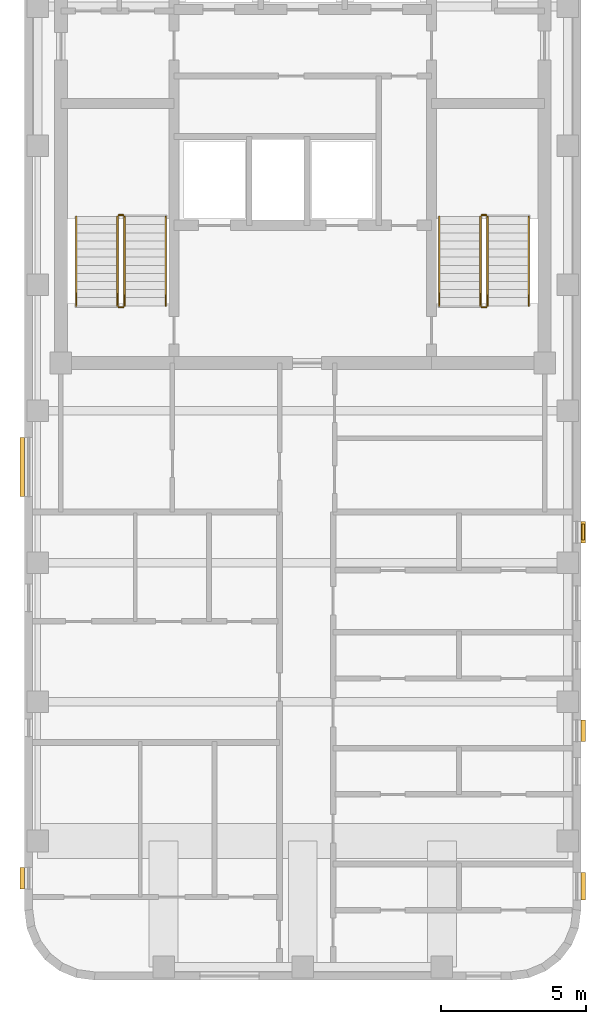
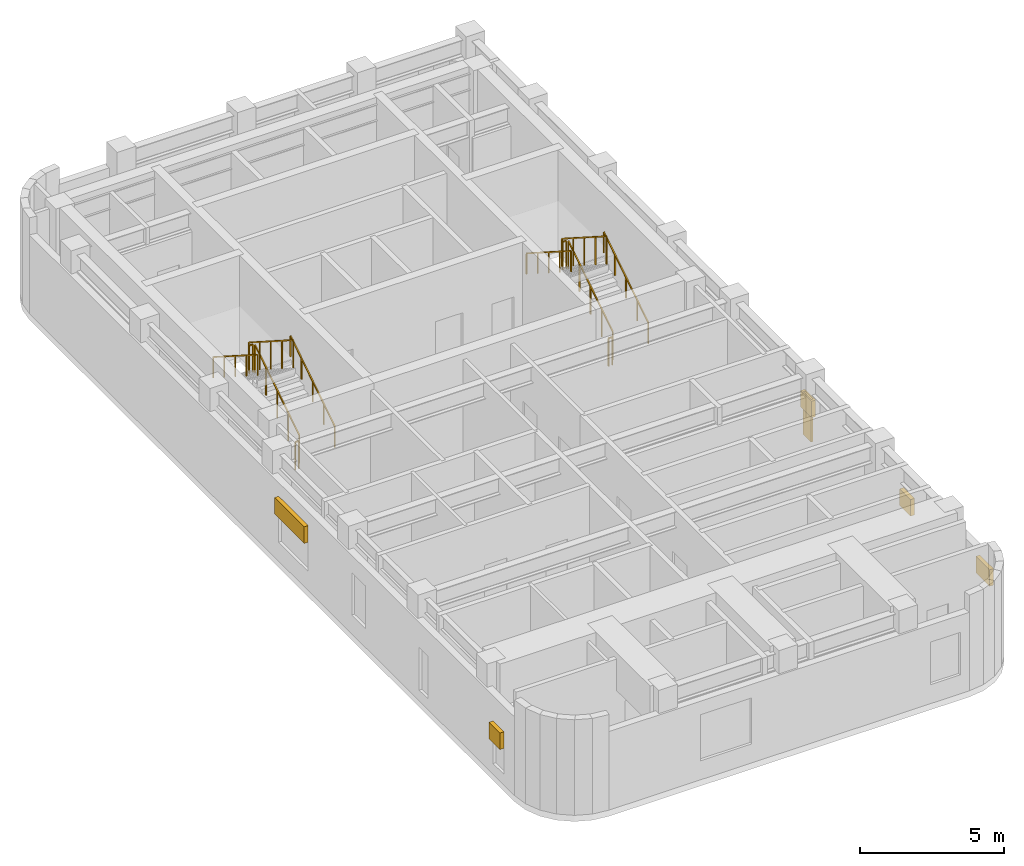
# One storey, part 6 of 6: 12 railings, 6 shading devices.
"""IFC4 building model written with IfcOpenShell, lengths in metres."""

from ifc_helpers import new_model, si_unit, direction, frame, origin, origin_2d, place, context, subcontext, project, spatial, rectangle, extrude, material, type_object, element, save


model = new_model("IFC4")

# Units and contexts
model_context = context("Model", 3, precision=1e-05, world=origin(), true_north=direction((0.0, 1.0)))
body_context = subcontext(model_context, "Body", "Model", "MODEL_VIEW")
ifc_project = project(units=[si_unit("LENGTHUNIT", "METRE"), si_unit("AREAUNIT", "SQUARE_METRE"), si_unit("VOLUMEUNIT", "CUBIC_METRE"), si_unit("PLANEANGLEUNIT", "RADIAN"), si_unit("MASSUNIT", "GRAM", prefix="KILO")], contexts=[model_context])

# Site, building, storey
site_placement = place(None, origin())
site = spatial("IfcSite", under=ifc_project, at=site_placement, CompositionType="ELEMENT")
building_placement = place(site_placement, origin())
building = spatial("IfcBuilding", under=site, at=building_placement, Name="Orvandelia Arch Residences", CompositionType="ELEMENT")
storey_placement = place(building_placement, frame((0.0, 0.0, 261.300048828125)))
storey = spatial("IfcBuildingStorey", under=building, at=storey_placement, Name="L68", CompositionType="ELEMENT", Elevation=261.300048828125)

# Railings
ifc_material_1 = material(Name="Brushed Stainless Steel 304", Category="steel")
railing_type_1 = type_object("IfcRailingType", Name="RL-STAIR-GD1120", PredefinedType="GUARDRAIL", material=ifc_material_1)
railing_1_placement = place(storey_placement, frame((8.25, 32.8701171875, 0.17919921875)))
element("IfcRailing", 1, at=railing_1_placement, inside=storey, type_object=railing_type_1, Name="L68 ST-1 stair guard 1", PredefinedType="GUARDRAIL", context=body_context, shape_type="SweptSolid", body=[
    extrude(rectangle(XDim=0.048095703125, YDim=0.048095703125, at=origin_2d()), frame((0.0, 0.0, 1.17578125), z_axis=(0.0, 0.842319903074, 0.538977903893), x_axis=(-1.0, 0.0, 0.0)), (0.0, 0.0, 1.0), 3.65625),
    extrude(rectangle(XDim=0.0419921875, YDim=0.0419921875, at=origin_2d()), origin(), (0.0, 0.0, 1.0), 1.15185546875),
    extrude(rectangle(XDim=0.0419921875, YDim=0.0419921875, at=origin_2d()), frame((0.0, 0.77001953125, 0.49267578125)), (0.0, 0.0, 1.0), 1.15185546875),
    extrude(rectangle(XDim=0.0419921875, YDim=0.0419921875, at=origin_2d()), frame((0.0, 1.5400390625, 0.9853515625)), (0.0, 0.0, 1.0), 1.15185546875),
    extrude(rectangle(XDim=0.0419921875, YDim=0.0419921875, at=origin_2d()), frame((0.0, 2.309814453125, 1.47802734375)), (0.0, 0.0, 1.0), 1.15185546875),
    extrude(rectangle(XDim=0.0419921875, YDim=0.0419921875, at=origin_2d()), frame((0.0, 3.079833984375, 1.970703125)), (0.0, 0.0, 1.0), 1.15185546875),
])
railing_2_placement = place(storey_placement, frame((8.199951171875, 36.0, 2.14990234375)))
element("IfcRailing", 2, at=railing_2_placement, inside=storey, type_object=railing_type_1, Name="L68 ST-1 stair guard 2", PredefinedType="GUARDRAIL", context=body_context, shape_type="SweptSolid", body=[
    extrude(rectangle(XDim=0.048095703125, YDim=0.048095703125, at=origin_2d()), frame((0.0, 0.0, 1.17578125), z_axis=(-1.0, 0.0, 0.0), x_axis=(0.0, -1.0, 0.0)), (0.0, 0.0, 1.0), 0.14990234375),
    extrude(rectangle(XDim=0.0419921875, YDim=0.0419921875, at=origin_2d()), origin(), (0.0, 0.0, 1.0), 1.15185546875),
    extrude(rectangle(XDim=0.0419921875, YDim=0.0419921875, at=origin_2d()), frame((-0.14990234375, 0.0, 0.0)), (0.0, 0.0, 1.0), 1.15185546875),
])
railing_3_placement = place(storey_placement, frame((8.0, 35.949951171875, 2.3291015625)))
element("IfcRailing", 3, at=railing_3_placement, inside=storey, type_object=railing_type_1, Name="L68 ST-1 stair guard 3", PredefinedType="GUARDRAIL", context=body_context, shape_type="SweptSolid", body=[
    extrude(rectangle(XDim=0.048095703125, YDim=0.048095703125, at=origin_2d()), frame((0.0, 0.0, 1.17578125), z_axis=(0.0, -0.842289589211, 0.539025275759), x_axis=(1.0, 0.0, 0.0)), (0.0, 0.0, 1.0), 3.656494140625),
    extrude(rectangle(XDim=0.0419921875, YDim=0.0419921875, at=origin_2d()), origin(), (0.0, 0.0, 1.0), 1.15185546875),
    extrude(rectangle(XDim=0.0419921875, YDim=0.0419921875, at=origin_2d()), frame((0.0, -0.77001953125, 0.49267578125)), (0.0, 0.0, 1.0), 1.15185546875),
    extrude(rectangle(XDim=0.0419921875, YDim=0.0419921875, at=origin_2d()), frame((0.0, -1.5400390625, 0.9853515625)), (0.0, 0.0, 1.0), 1.15185546875),
    extrude(rectangle(XDim=0.0419921875, YDim=0.0419921875, at=origin_2d()), frame((0.0, -2.309814453125, 1.478271484375)), (0.0, 0.0, 1.0), 1.15185546875),
    extrude(rectangle(XDim=0.0419921875, YDim=0.0419921875, at=origin_2d()), frame((0.0, -3.079833984375, 1.970947265625)), (0.0, 0.0, 1.0), 1.15185546875),
])
railing_4_placement = place(storey_placement, frame((8.199951171875, 32.820068359375, 0.0)))
element("IfcRailing", 4, at=railing_4_placement, inside=storey, type_object=railing_type_1, Name="L68 ST-1 stair guard 4", PredefinedType="GUARDRAIL", context=body_context, shape_type="SweptSolid", body=[
    extrude(rectangle(XDim=0.048095703125, YDim=0.048095703125, at=origin_2d()), frame((0.0, 0.0, 1.17578125), z_axis=(-1.0, 0.0, 0.0), x_axis=(0.0, -1.0, 0.0)), (0.0, 0.0, 1.0), 0.14990234375),
    extrude(rectangle(XDim=0.0419921875, YDim=0.0419921875, at=origin_2d()), origin(), (0.0, 0.0, 1.0), 1.15185546875),
    extrude(rectangle(XDim=0.0419921875, YDim=0.0419921875, at=origin_2d()), frame((-0.14990234375, 0.0, 0.0)), (0.0, 0.0, 1.0), 1.15185546875),
])
railing_5_placement = place(storey_placement, frame((20.780029296875, 32.8701171875, 0.17919921875)))
element("IfcRailing", 5, at=railing_5_placement, inside=storey, type_object=railing_type_1, Name="L68 ST-2 stair guard 1", PredefinedType="GUARDRAIL", context=body_context, shape_type="SweptSolid", body=[
    extrude(rectangle(XDim=0.048095703125, YDim=0.048095703125, at=origin_2d()), frame((0.0, 0.0, 1.17578125), z_axis=(0.0, 0.842319903074, 0.538977903893), x_axis=(-1.0, 0.0, 0.0)), (0.0, 0.0, 1.0), 3.65625),
    extrude(rectangle(XDim=0.0419921875, YDim=0.0419921875, at=origin_2d()), origin(), (0.0, 0.0, 1.0), 1.15185546875),
    extrude(rectangle(XDim=0.0419921875, YDim=0.0419921875, at=origin_2d()), frame((0.0, 0.77001953125, 0.49267578125)), (0.0, 0.0, 1.0), 1.15185546875),
    extrude(rectangle(XDim=0.0419921875, YDim=0.0419921875, at=origin_2d()), frame((0.0, 1.5400390625, 0.9853515625)), (0.0, 0.0, 1.0), 1.15185546875),
    extrude(rectangle(XDim=0.0419921875, YDim=0.0419921875, at=origin_2d()), frame((0.0, 2.309814453125, 1.47802734375)), (0.0, 0.0, 1.0), 1.15185546875),
    extrude(rectangle(XDim=0.0419921875, YDim=0.0419921875, at=origin_2d()), frame((0.0, 3.079833984375, 1.970703125)), (0.0, 0.0, 1.0), 1.15185546875),
])
railing_6_placement = place(storey_placement, frame((20.72998046875, 36.0, 2.14990234375)))
element("IfcRailing", 6, at=railing_6_placement, inside=storey, type_object=railing_type_1, Name="L68 ST-2 stair guard 2", PredefinedType="GUARDRAIL", context=body_context, shape_type="SweptSolid", body=[
    extrude(rectangle(XDim=0.048095703125, YDim=0.048095703125, at=origin_2d()), frame((0.0, 0.0, 1.17578125), z_axis=(-1.0, 0.0, 0.0), x_axis=(0.0, -1.0, 0.0)), (0.0, 0.0, 1.0), 0.14990234375),
    extrude(rectangle(XDim=0.0419921875, YDim=0.0419921875, at=origin_2d()), origin(), (0.0, 0.0, 1.0), 1.15185546875),
    extrude(rectangle(XDim=0.0419921875, YDim=0.0419921875, at=origin_2d()), frame((-0.14990234375, 0.0, 0.0)), (0.0, 0.0, 1.0), 1.15185546875),
])
railing_7_placement = place(storey_placement, frame((20.530029296875, 35.949951171875, 2.3291015625)))
element("IfcRailing", 7, at=railing_7_placement, inside=storey, type_object=railing_type_1, Name="L68 ST-2 stair guard 3", PredefinedType="GUARDRAIL", context=body_context, shape_type="SweptSolid", body=[
    extrude(rectangle(XDim=0.048095703125, YDim=0.048095703125, at=origin_2d()), frame((0.0, 0.0, 1.17578125), z_axis=(0.0, -0.842289589211, 0.539025275759), x_axis=(1.0, 0.0, 0.0)), (0.0, 0.0, 1.0), 3.656494140625),
    extrude(rectangle(XDim=0.0419921875, YDim=0.0419921875, at=origin_2d()), origin(), (0.0, 0.0, 1.0), 1.15185546875),
    extrude(rectangle(XDim=0.0419921875, YDim=0.0419921875, at=origin_2d()), frame((0.0, -0.77001953125, 0.49267578125)), (0.0, 0.0, 1.0), 1.15185546875),
    extrude(rectangle(XDim=0.0419921875, YDim=0.0419921875, at=origin_2d()), frame((0.0, -1.5400390625, 0.9853515625)), (0.0, 0.0, 1.0), 1.15185546875),
    extrude(rectangle(XDim=0.0419921875, YDim=0.0419921875, at=origin_2d()), frame((0.0, -2.309814453125, 1.478271484375)), (0.0, 0.0, 1.0), 1.15185546875),
    extrude(rectangle(XDim=0.0419921875, YDim=0.0419921875, at=origin_2d()), frame((0.0, -3.079833984375, 1.970947265625)), (0.0, 0.0, 1.0), 1.15185546875),
])
railing_8_placement = place(storey_placement, frame((20.72998046875, 32.820068359375, 0.0)))
element("IfcRailing", 8, at=railing_8_placement, inside=storey, type_object=railing_type_1, Name="L68 ST-2 stair guard 4", PredefinedType="GUARDRAIL", context=body_context, shape_type="SweptSolid", body=[
    extrude(rectangle(XDim=0.048095703125, YDim=0.048095703125, at=origin_2d()), frame((0.0, 0.0, 1.17578125), z_axis=(-1.0, 0.0, 0.0), x_axis=(0.0, -1.0, 0.0)), (0.0, 0.0, 1.0), 0.14990234375),
    extrude(rectangle(XDim=0.0419921875, YDim=0.0419921875, at=origin_2d()), origin(), (0.0, 0.0, 1.0), 1.15185546875),
    extrude(rectangle(XDim=0.0419921875, YDim=0.0419921875, at=origin_2d()), frame((-0.14990234375, 0.0, 0.0)), (0.0, 0.0, 1.0), 1.15185546875),
])
railing_type_2 = type_object("IfcRailingType", Name="RL-STAIR-HR920", PredefinedType="HANDRAIL", material=ifc_material_1)
railing_9_placement = place(storey_placement, frame((9.669921875, 32.8701171875, 0.3583984375)))
element("IfcRailing", 9, at=railing_9_placement, inside=storey, type_object=railing_type_2, Name="L68 ST-1 stair handrail 1", PredefinedType="HANDRAIL", context=body_context, shape_type="SweptSolid", body=[
    extrude(rectangle(XDim=0.048095703125, YDim=0.048095703125, at=origin_2d()), frame((0.0, 0.0, 0.8759765625), z_axis=(0.0, 0.842319903074, 0.538977903893), x_axis=(-1.0, 0.0, 0.0)), (0.0, 0.0, 1.0), 3.65625),
    extrude(rectangle(XDim=0.0419921875, YDim=0.0419921875, at=origin_2d()), origin(), (0.0, 0.0, 1.0), 0.851806640625),
    extrude(rectangle(XDim=0.0419921875, YDim=0.0419921875, at=origin_2d()), frame((0.0, 0.77001953125, 0.49267578125)), (0.0, 0.0, 1.0), 0.851806640625),
    extrude(rectangle(XDim=0.0419921875, YDim=0.0419921875, at=origin_2d()), frame((0.0, 1.5400390625, 0.9853515625)), (0.0, 0.0, 1.0), 0.851806640625),
    extrude(rectangle(XDim=0.0419921875, YDim=0.0419921875, at=origin_2d()), frame((0.0, 2.309814453125, 1.47802734375)), (0.0, 0.0, 1.0), 0.851806640625),
    extrude(rectangle(XDim=0.0419921875, YDim=0.0419921875, at=origin_2d()), frame((0.0, 3.079833984375, 1.970703125)), (0.0, 0.0, 1.0), 0.851806640625),
])
railing_10_placement = place(storey_placement, frame((6.580078125, 35.949951171875, 2.50830078125)))
element("IfcRailing", 10, at=railing_10_placement, inside=storey, type_object=railing_type_2, Name="L68 ST-1 stair handrail 2", PredefinedType="HANDRAIL", context=body_context, shape_type="SweptSolid", body=[
    extrude(rectangle(XDim=0.048095703125, YDim=0.048095703125, at=origin_2d()), frame((0.0, 0.0, 0.8759765625), z_axis=(0.0, -0.842319903074, 0.538977903893), x_axis=(1.0, 0.0, 0.0)), (0.0, 0.0, 1.0), 3.65625),
    extrude(rectangle(XDim=0.0419921875, YDim=0.0419921875, at=origin_2d()), origin(), (0.0, 0.0, 1.0), 0.851806640625),
    extrude(rectangle(XDim=0.0419921875, YDim=0.0419921875, at=origin_2d()), frame((0.0, -0.77001953125, 0.49267578125)), (0.0, 0.0, 1.0), 0.851806640625),
    extrude(rectangle(XDim=0.0419921875, YDim=0.0419921875, at=origin_2d()), frame((0.0, -1.5400390625, 0.9853515625)), (0.0, 0.0, 1.0), 0.851806640625),
    extrude(rectangle(XDim=0.0419921875, YDim=0.0419921875, at=origin_2d()), frame((0.0, -2.309814453125, 1.47802734375)), (0.0, 0.0, 1.0), 0.851806640625),
    extrude(rectangle(XDim=0.0419921875, YDim=0.0419921875, at=origin_2d()), frame((0.0, -3.079833984375, 1.970703125)), (0.0, 0.0, 1.0), 0.851806640625),
])
railing_11_placement = place(storey_placement, frame((22.199951171875, 32.8701171875, 0.3583984375)))
element("IfcRailing", 11, at=railing_11_placement, inside=storey, type_object=railing_type_2, Name="L68 ST-2 stair handrail 1", PredefinedType="HANDRAIL", context=body_context, shape_type="SweptSolid", body=[
    extrude(rectangle(XDim=0.048095703125, YDim=0.048095703125, at=origin_2d()), frame((0.0, 0.0, 0.8759765625), z_axis=(0.0, 0.842319903074, 0.538977903893), x_axis=(-1.0, 0.0, 0.0)), (0.0, 0.0, 1.0), 3.65625),
    extrude(rectangle(XDim=0.0419921875, YDim=0.0419921875, at=origin_2d()), origin(), (0.0, 0.0, 1.0), 0.851806640625),
    extrude(rectangle(XDim=0.0419921875, YDim=0.0419921875, at=origin_2d()), frame((0.0, 0.77001953125, 0.49267578125)), (0.0, 0.0, 1.0), 0.851806640625),
    extrude(rectangle(XDim=0.0419921875, YDim=0.0419921875, at=origin_2d()), frame((0.0, 1.5400390625, 0.9853515625)), (0.0, 0.0, 1.0), 0.851806640625),
    extrude(rectangle(XDim=0.0419921875, YDim=0.0419921875, at=origin_2d()), frame((0.0, 2.309814453125, 1.47802734375)), (0.0, 0.0, 1.0), 0.851806640625),
    extrude(rectangle(XDim=0.0419921875, YDim=0.0419921875, at=origin_2d()), frame((0.0, 3.079833984375, 1.970703125)), (0.0, 0.0, 1.0), 0.851806640625),
])
railing_12_placement = place(storey_placement, frame((19.110107421875, 35.949951171875, 2.50830078125)))
element("IfcRailing", 12, at=railing_12_placement, inside=storey, type_object=railing_type_2, Name="L68 ST-2 stair handrail 2", PredefinedType="HANDRAIL", context=body_context, shape_type="SweptSolid", body=[
    extrude(rectangle(XDim=0.048095703125, YDim=0.048095703125, at=origin_2d()), frame((0.0, 0.0, 0.8759765625), z_axis=(0.0, -0.842319903074, 0.538977903893), x_axis=(1.0, 0.0, 0.0)), (0.0, 0.0, 1.0), 3.65625),
    extrude(rectangle(XDim=0.0419921875, YDim=0.0419921875, at=origin_2d()), origin(), (0.0, 0.0, 1.0), 0.851806640625),
    extrude(rectangle(XDim=0.0419921875, YDim=0.0419921875, at=origin_2d()), frame((0.0, -0.77001953125, 0.49267578125)), (0.0, 0.0, 1.0), 0.851806640625),
    extrude(rectangle(XDim=0.0419921875, YDim=0.0419921875, at=origin_2d()), frame((0.0, -1.5400390625, 0.9853515625)), (0.0, 0.0, 1.0), 0.851806640625),
    extrude(rectangle(XDim=0.0419921875, YDim=0.0419921875, at=origin_2d()), frame((0.0, -2.309814453125, 1.47802734375)), (0.0, 0.0, 1.0), 0.851806640625),
    extrude(rectangle(XDim=0.0419921875, YDim=0.0419921875, at=origin_2d()), frame((0.0, -3.079833984375, 1.970703125)), (0.0, 0.0, 1.0), 0.851806640625),
])

# Shading devices
ifc_material_2 = material(Name="Anodised Champagne-Bronze Extruded Aluminium", Category="aluminium")
shading_device_type_1 = type_object("IfcShadingDeviceType", Name="SHD-JALOUSIE-SCREEN", PredefinedType="JALOUSIE", material=ifc_material_2)
shading_device_1_placement = place(storey_placement, frame((24.080078125, 18.202392578125, 1.5498046875), z_axis=(0.0, 0.0, 1.0), x_axis=(0.0, -1.0, 0.0)))
element("IfcShadingDevice", 13, at=shading_device_1_placement, inside=storey, type_object=shading_device_type_1, Name="Bronze Jalousie Sun-Shade L68-001", PredefinedType="JALOUSIE", context=body_context, shape_type="SweptSolid", body=[
    extrude(rectangle(XDim=0.75, YDim=0.159912109375, at=origin_2d()), origin(), (0.0, 0.0, 1.0), 0.699951171875),
])
shading_device_2_placement = place(storey_placement, frame((24.080078125, 12.830078125, 1.89990234375), z_axis=(0.0, 0.0, 1.0), x_axis=(0.0, -1.0, 0.0)))
element("IfcShadingDevice", 14, at=shading_device_2_placement, inside=storey, type_object=shading_device_type_1, Name="Bronze Jalousie Sun-Shade L68-002", PredefinedType="JALOUSIE", context=body_context, shape_type="SweptSolid", body=[
    extrude(rectangle(XDim=0.949951171875, YDim=0.159912109375, at=origin_2d()), origin(), (0.0, 0.0, 1.0), 0.699951171875),
])
for number, where, z_axis, x_axis, name in (
    (15, (24.080078125, 25.0576171875, 1.5498046875), (0.0, 0.0, 1.0), (0.0, -1.0, 0.0), "Bronze Jalousie Sun-Shade L68-003"),
    (16, (4.719970703125, 13.111083984375, 1.5498046875), (0.0, 0.0, 1.0), (0.0, 1.0, 0.0), "Bronze Jalousie Sun-Shade L68-004"),
):
    element("IfcShadingDevice", number, at=place(storey_placement, frame(where, z_axis=z_axis, x_axis=x_axis)), inside=storey, type_object=shading_device_type_1, Name=name, PredefinedType="JALOUSIE", context=body_context, shape_type="SweptSolid", body=[
        extrude(rectangle(XDim=0.75, YDim=0.159912109375, at=origin_2d()), origin(), (0.0, 0.0, 1.0), 0.699951171875),
    ])
shading_device_3_placement = place(storey_placement, frame((4.719970703125, 27.3076171875, 2.0498046875), z_axis=(0.0, 0.0, 1.0), x_axis=(0.0, 1.0, 0.0)))
element("IfcShadingDevice", 17, at=shading_device_3_placement, inside=storey, type_object=shading_device_type_1, Name="Bronze Jalousie Sun-Shade L68-005", PredefinedType="JALOUSIE", context=body_context, shape_type="SweptSolid", body=[
    extrude(rectangle(XDim=2.050048828125, YDim=0.159912109375, at=origin_2d()), origin(), (0.0, 0.0, 1.0), 0.699951171875),
])
ifc_material_3 = material(Name="Marine-Grade Perforated Aluminium Storm Shutter", Category="aluminium")
shading_device_type_2 = type_object("IfcShadingDeviceType", Name="SHD-STORM-SHUTTER", PredefinedType="SHUTTER", material=ifc_material_3)
shading_device_4_placement = place(storey_placement, frame((24.080078125, 25.0576171875, 0.44970703125), z_axis=(0.0, 0.0, 1.0), x_axis=(0.0, -1.0, 0.0)))
element("IfcShadingDevice", 18, at=shading_device_4_placement, inside=storey, type_object=shading_device_type_2, Name="Operable Typhoon Storm Shutter L68-003", PredefinedType="SHUTTER", context=body_context, shape_type="SweptSolid", body=[
    extrude(rectangle(XDim=0.550048828125, YDim=0.080078125, at=origin_2d()), origin(), (0.0, 0.0, 1.0), 1.800048828125),
])

save(model, "model.ifc")
